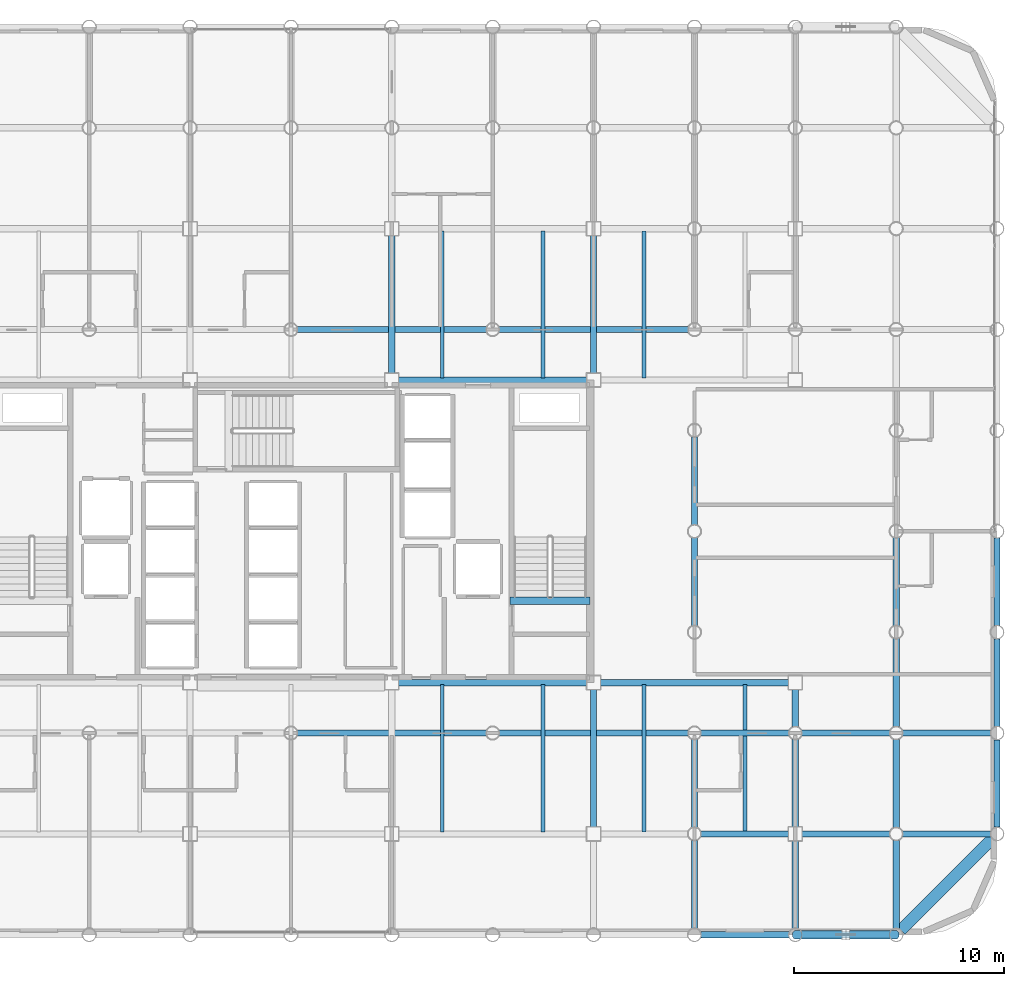
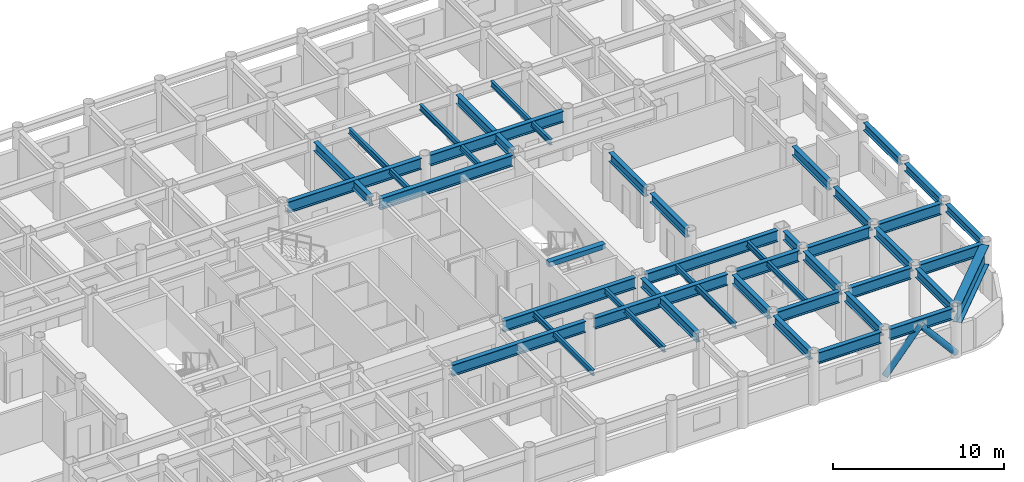
# One storey, part 7 of 22: 41 beams, 2 members.
"""IFC4 building model written with IfcOpenShell, lengths in metres."""

import ifcopenshell
import ifcopenshell.guid

model = None  # the IFC model being written
_history = None  # IfcOwnerHistory: only IFC2X3 demands one
_inside = {}  # id of a spatial element -> (the spatial element, [elements in it])
_under = {}  # id of a project, library or spatial element -> (it, [spatial elements below it])
_declared = {}  # id of a project -> (the project, [libraries it declares])
_typed = {}  # id of a type object -> (the type object, [elements of that type])
_made_of = {}  # id of a material, layer set ... -> (it, [elements and type objects made of it])


def new_model(schema):
    """Start an empty IFC model of exactly this schema.

    Asked for "IFC4X3", IfcOpenShell would pick the latest addendum, in which some entities
    have other attributes; the version numbers below select the first issue.
    IFC2X3 requires an IfcOwnerHistory on every rooted entity: one is made here for all.
    """
    global model, _history
    if schema == "IFC4X3":
        model = ifcopenshell.file(schema_version=(4, 3, 0, 0))
    else:
        model = ifcopenshell.file(schema=schema)
    _inside.clear()
    _under.clear()
    _declared.clear()
    _typed.clear()
    _made_of.clear()
    _history = None
    if model.schema == "IFC2X3":
        org = make("IfcOrganization", Name="unknown")
        user = make(
            "IfcPersonAndOrganization",
            ThePerson=make("IfcPerson", FamilyName="unknown"),
            TheOrganization=org,
        )
        app = make(
            "IfcApplication",
            ApplicationDeveloper=org,
            Version="unknown",
            ApplicationFullName="unknown",
            ApplicationIdentifier="unknown",
        )
        _history = make(
            "IfcOwnerHistory",
            OwningUser=user,
            OwningApplication=app,
            ChangeAction="ADDED",
            CreationDate=0,
        )
    return model


def make(cls, **values):
    """One entity of the class cls with the attributes given. An attribute that is None is left unset."""
    return model.create_entity(
        cls, **{name: value for name, value in values.items() if value is not None}
    )


def rooted(cls, **values):
    """An entity with a GlobalId (a new one), such as an element, a storey or a relation."""
    return make(cls, GlobalId=ifcopenshell.guid.new(), OwnerHistory=_history, **values)


def si_unit(unit_type, name, prefix=None):
    """IfcSIUnit, for example si_unit("LENGTHUNIT", "METRE", prefix="MILLI")."""
    return make("IfcSIUnit", UnitType=unit_type, Prefix=prefix, Name=name)


def assignment(units):
    """IfcUnitAssignment: the units of a project."""
    return None if units is None else make("IfcUnitAssignment", Units=units)


def point(xyz):
    """IfcCartesianPoint."""
    return None if xyz is None else make("IfcCartesianPoint", Coordinates=xyz)


def direction(xyz):
    """IfcDirection."""
    return None if xyz is None else make("IfcDirection", DirectionRatios=xyz)


def frame(location, z_axis=None, x_axis=None):
    """IfcAxis2Placement3D, a coordinate frame: its origin and axes. An axis left out is left unset."""
    return make(
        "IfcAxis2Placement3D",
        Location=point(location),
        Axis=direction(z_axis),
        RefDirection=direction(x_axis),
    )


def frame_2d(location, x_axis=None):
    """IfcAxis2Placement2D, a coordinate frame in the plane: its origin and x axis."""
    return make(
        "IfcAxis2Placement2D", Location=point(location), RefDirection=direction(x_axis)
    )


def origin():
    """The frame at (0, 0, 0) with its axes left unset."""
    return frame((0.0, 0.0, 0.0))


def origin_2d():
    """The frame at (0, 0) in the plane with its x axis left unset."""
    return frame_2d((0.0, 0.0))


def place(relative_to, where):
    """IfcLocalPlacement: puts the frame where relative to a parent placement (None: the world)."""
    return make(
        "IfcLocalPlacement", PlacementRelTo=relative_to, RelativePlacement=where
    )


def context(
    kind, dimensions, precision=None, world=None, true_north=None, identifier=None
):
    """IfcGeometricRepresentationContext, for example the 3D "Model" context."""
    return make(
        "IfcGeometricRepresentationContext",
        ContextIdentifier=identifier,
        ContextType=kind,
        CoordinateSpaceDimension=dimensions,
        Precision=precision,
        WorldCoordinateSystem=world,
        TrueNorth=true_north,
    )


def subcontext(parent, identifier, kind, view, scale=None):
    """IfcGeometricRepresentationSubContext, for example "Body" below "Model"."""
    return make(
        "IfcGeometricRepresentationSubContext",
        ContextIdentifier=identifier,
        ContextType=kind,
        ParentContext=parent,
        TargetScale=scale,
        TargetView=view,
    )


def project(units=None, contexts=None):
    """IfcProject with its units and contexts."""
    return rooted(
        "IfcProject",
        Name="project",
        RepresentationContexts=contexts,
        UnitsInContext=assignment(units),
    )


def spatial(cls, under=None, at=None, **own):
    """A site, building, storey or space (cls), placed at a placement, below another one or the project."""
    s = rooted(cls, ObjectPlacement=at, **own)
    if under is not None:
        _under.setdefault(under.id(), (under, []))[1].append(s)
    return s


def profile(cls, at=None, kind="AREA", **sizes):
    """A parametric profile (cls). Its sizes go by their IFC names, for example OverallWidth=200.0."""
    return make(cls, ProfileType=kind, Position=at, **sizes)


def rectangle(**sizes):
    """IfcRectangleProfileDef."""
    return profile("IfcRectangleProfileDef", **sizes)


def hollow_circle(**sizes):
    """IfcCircleHollowProfileDef."""
    return profile("IfcCircleHollowProfileDef", **sizes)


def i_section(**sizes):
    """IfcIShapeProfileDef."""
    return profile("IfcIShapeProfileDef", **sizes)


def extrude(swept, where, along, depth):
    """IfcExtrudedAreaSolid: the profile swept, set in the frame where, extruded along a direction by depth."""
    return make(
        "IfcExtrudedAreaSolid",
        SweptArea=swept,
        Position=where,
        ExtrudedDirection=direction(along),
        Depth=depth,
    )


def shape(context_of_items, identifier, shape_type, items):
    """IfcShapeRepresentation: the items that make up one representation, for example the "Body"."""
    return make(
        "IfcShapeRepresentation",
        ContextOfItems=context_of_items,
        RepresentationIdentifier=identifier,
        RepresentationType=shape_type,
        Items=items,
    )


def material(Name=None, Category=None):
    """IfcMaterial."""
    return make("IfcMaterial", Name=Name, Category=Category)


def material_profile(
    of_material, cross_section, Name=None, Category=None, Priority=None
):
    """IfcMaterialProfile: a cross section and its material."""
    return make(
        "IfcMaterialProfile",
        Name=Name,
        Material=of_material,
        Profile=cross_section,
        Priority=Priority,
        Category=Category,
    )


def profile_set(profiles, Name=None, composite=None):
    """IfcMaterialProfileSet."""
    return make(
        "IfcMaterialProfileSet",
        Name=Name,
        MaterialProfiles=profiles,
        CompositeProfile=composite,
    )


def made_of(thing, what):
    """Note that an element or type object is made of a material, layer set ...; save() writes the relation."""
    if what is not None:
        _made_of.setdefault(what.id(), (what, []))[1].append(thing)
    return thing


def type_object(cls, material=None, **own):
    """A type object (cls), such as IfcWallType, which elements share."""
    return made_of(rooted(cls, **own), material)


def element(
    cls,
    number,
    at=None,
    inside=None,
    cuts=None,
    type_object=None,
    material=None,
    context=None,
    identifier="Body",
    shape_type=None,
    held_by="IfcProductDefinitionShape",
    body=None,
    shapes=None,
    **own,
):
    """One element of the class cls, such as IfcWall. Its Tag is "e" and its number.

    at: its placement. inside: the storey or other place that contains it. cuts: it is an
    opening in that element (IfcRelVoidsElement). A single representation is given by context,
    identifier, shape_type and body (its items); several are given by shapes. held_by: the class
    of the entity that holds the representations. save() writes the other relations.
    """
    e = rooted(cls, Tag="e%d" % number, ObjectPlacement=at, **own)
    if body is not None:
        shapes = [shape(context, identifier, shape_type, body)]
    if shapes is not None:
        e.Representation = make(held_by, Representations=shapes)
    if inside is not None:
        _inside.setdefault(inside.id(), (inside, []))[1].append(e)
    if cuts is not None:
        rooted(
            "IfcRelVoidsElement", RelatingBuildingElement=cuts, RelatedOpeningElement=e
        )
    if type_object is not None:
        _typed.setdefault(type_object.id(), (type_object, []))[1].append(e)
    return made_of(e, material)


def aggregate(whole, parts):
    """IfcRelAggregates: a whole, such as a stair, and the parts it consists of."""
    return rooted("IfcRelAggregates", RelatingObject=whole, RelatedObjects=parts)


def save(model, path):
    """Write the relations noted so far, then the file.

    IfcRelAggregates (storeys below a building ...), IfcRelContainedInSpatialStructure (elements
    in a storey), IfcRelDefinesByType, IfcRelAssociatesMaterial and IfcRelDeclares: one each for
    every whole, place, type object, material and project.
    """
    for whole, parts in _under.values():
        aggregate(whole, parts)
    for where, things in _inside.values():
        rooted(
            "IfcRelContainedInSpatialStructure",
            RelatedElements=things,
            RelatingStructure=where,
        )
    for kind, things in _typed.values():
        rooted("IfcRelDefinesByType", RelatedObjects=things, RelatingType=kind)
    for what, things in _made_of.values():
        rooted("IfcRelAssociatesMaterial", RelatedObjects=things, RelatingMaterial=what)
    for by, libraries in _declared.values():
        rooted("IfcRelDeclares", RelatingContext=by, RelatedDefinitions=libraries)
    model.write(path)


model = new_model("IFC4")

# Units and contexts
model_context = context("Model", 3, precision=1e-05, world=origin(), true_north=direction((0.0, 1.0)))
body_context = subcontext(model_context, "Body", "Model", "MODEL_VIEW")
ifc_project = project(units=[si_unit("LENGTHUNIT", "METRE"), si_unit("AREAUNIT", "SQUARE_METRE"), si_unit("VOLUMEUNIT", "CUBIC_METRE"), si_unit("PLANEANGLEUNIT", "RADIAN"), si_unit("MASSUNIT", "GRAM", prefix="KILO")], contexts=[model_context])

# Site, building, storey
site_placement = place(None, origin())
site = spatial("IfcSite", under=ifc_project, at=site_placement, CompositionType="ELEMENT")
building_placement = place(site_placement, origin())
building = spatial("IfcBuilding", under=site, at=building_placement, Name="Kallvorn Hotel Tower", CompositionType="ELEMENT")
storey_placement = place(building_placement, frame((0.0, 0.0, 110.0)))
storey = spatial("IfcBuildingStorey", under=building, at=storey_placement, Name="L26", CompositionType="ELEMENT", Elevation=110.0)

# Beams
ifc_material_1 = material(Name="Structural steel S355JR", Category="steel")
ifc_material_profile_1 = material_profile(ifc_material_1, i_section(OverallWidth=0.300048828125, OverallDepth=0.550048828125, WebThickness=0.014892578125, FlangeThickness=0.029052734375, at=origin_2d()), Name="HE 550 B")
ifc_profile_set_1 = profile_set([ifc_material_profile_1], Name="Structural steel S355JR")
beam_type_1 = type_object("IfcBeamType", Name="BM_HE550B", PredefinedType="SPANDREL", material=ifc_profile_set_1)
beam_1_placement = place(storey_placement, frame((33.60009765625, -14.080078125, 3.2451171875), z_axis=(0.0, 1.0, 0.0), x_axis=(-1.0, 0.0, 0.0)))
element("IfcBeam", 1, at=beam_1_placement, inside=storey, type_object=beam_type_1, Name="L27 Perimeter Spandrel 182", PredefinedType="SPANDREL", context=body_context, shape_type="SweptSolid", body=[
    extrude(i_section(OverallWidth=0.300048828125, OverallDepth=0.550048828125, WebThickness=0.014892578125, FlangeThickness=0.029052734375, at=origin_2d()), origin(), (0.0, 0.0, 1.0), 4.16015625),
])
for number, where, z_axis, x_axis, name in (
    (2, (33.60009765625, -9.280029296875, 3.2451171875), (0.0, 1.0, 0.0), (-1.0, 0.0, 0.0), "L27 Perimeter Spandrel 183"),
    (3, (33.60009765625, -4.47998046875, 3.2451171875), (0.0, 1.0, 0.0), (-1.0, 0.0, 0.0), "L27 Perimeter Spandrel 184"),
):
    element("IfcBeam", number, at=place(storey_placement, frame(where, z_axis=z_axis, x_axis=x_axis)), inside=storey, type_object=beam_type_1, Name=name, PredefinedType="SPANDREL", context=body_context, shape_type="SweptSolid", body=[
        extrude(i_section(OverallWidth=0.300048828125, OverallDepth=0.550048828125, WebThickness=0.014892578125, FlangeThickness=0.029052734375, at=origin_2d()), origin(), (0.0, 0.0, 1.0), 4.159912109375),
    ])
ifc_material_2 = material(Name="Structural steel S355JR", Category="steel")
ifc_material_profile_2 = material_profile(ifc_material_2, i_section(OverallWidth=0.300048828125, OverallDepth=0.64990234375, WebThickness=0.01611328125, FlangeThickness=0.031005859375, at=origin_2d()), Name="HE 650 B")
ifc_profile_set_2 = profile_set([ifc_material_profile_2], Name="Structural steel S355JR")
beam_type_2 = type_object("IfcBeamType", Name="BM_HE650B", PredefinedType="BEAM", material=ifc_profile_set_2)
for number, where, z_axis, x_axis, name in (
    (4, (4.800048828125, 7.52490234375, 3.195068359375), (0.0, 1.0, 0.0), (-1.0, 0.0, 0.0), "L27 Primary Y-Girder 115"),
    (5, (14.39990234375, -14.074951171875, 3.195068359375), (0.0, 1.0, 0.0), (-1.0, 0.0, 0.0), "L27 Primary Y-Girder 122"),
    (6, (14.39990234375, 7.52490234375, 3.195068359375), (0.0, 1.0, 0.0), (-1.0, 0.0, 0.0), "L27 Primary Y-Girder 123"),
):
    element("IfcBeam", number, at=place(storey_placement, frame(where, z_axis=z_axis, x_axis=x_axis)), inside=storey, type_object=beam_type_2, Name=name, PredefinedType="BEAM", context=body_context, shape_type="SweptSolid", body=[
        extrude(i_section(OverallWidth=0.300048828125, OverallDepth=0.64990234375, WebThickness=0.01611328125, FlangeThickness=0.031005859375, at=origin_2d()), origin(), (0.0, 0.0, 1.0), 6.550048828125),
    ])
for number, where, z_axis, x_axis, name in (
    (7, (19.199951171875, -18.89501953125, 3.195068359375), (0.0, 1.0, 0.0), (-1.0, 0.0, 0.0), "L27 Primary Y-Girder 126"),
    (8, (19.199951171875, -14.094970703125, 3.195068359375), (0.0, 1.0, 0.0), (-1.0, 0.0, 0.0), "L27 Primary Y-Girder 127"),
):
    element("IfcBeam", number, at=place(storey_placement, frame(where, z_axis=z_axis, x_axis=x_axis)), inside=storey, type_object=beam_type_2, Name=name, PredefinedType="BEAM", context=body_context, shape_type="SweptSolid", body=[
        extrude(i_section(OverallWidth=0.300048828125, OverallDepth=0.64990234375, WebThickness=0.01611328125, FlangeThickness=0.031005859375, at=origin_2d()), origin(), (0.0, 0.0, 1.0), 4.18994140625),
    ])
for number, where, z_axis, x_axis, name in (
    (9, (19.199951171875, -4.4951171875, 3.195068359375), (0.0, 1.0, 0.0), (-1.0, 0.0, 0.0), "L27 Primary Y-Girder 129"),
    (10, (19.199951171875, 0.304931640625, 3.195068359375), (0.0, 1.0, 0.0), (-1.0, 0.0, 0.0), "L27 Primary Y-Girder 130"),
):
    element("IfcBeam", number, at=place(storey_placement, frame(where, z_axis=z_axis, x_axis=x_axis)), inside=storey, type_object=beam_type_2, Name=name, PredefinedType="BEAM", context=body_context, shape_type="SweptSolid", body=[
        extrude(i_section(OverallWidth=0.300048828125, OverallDepth=0.64990234375, WebThickness=0.01611328125, FlangeThickness=0.031005859375, at=origin_2d()), origin(), (0.0, 0.0, 1.0), 4.190185546875),
    ])
for number, where, z_axis, x_axis, name in (
    (11, (24.0, -18.89501953125, 3.195068359375), (0.0, 1.0, 0.0), (-1.0, 0.0, 0.0), "L27 Primary Y-Girder 135"),
    (12, (24.0, -14.074951171875, 3.195068359375), (0.0, 1.0, 0.0), (-1.0, 0.0, 0.0), "L27 Primary Y-Girder 136"),
):
    element("IfcBeam", number, at=place(storey_placement, frame(where, z_axis=z_axis, x_axis=x_axis)), inside=storey, type_object=beam_type_2, Name=name, PredefinedType="BEAM", context=body_context, shape_type="SweptSolid", body=[
        extrude(i_section(OverallWidth=0.300048828125, OverallDepth=0.64990234375, WebThickness=0.01611328125, FlangeThickness=0.031005859375, at=origin_2d()), origin(), (0.0, 0.0, 1.0), 4.169921875),
    ])
beam_2_placement = place(storey_placement, frame((24.0, -9.294921875, 3.195068359375), z_axis=(0.0, 1.0, 0.0), x_axis=(-1.0, 0.0, 0.0)))
element("IfcBeam", 13, at=beam_2_placement, inside=storey, type_object=beam_type_2, Name="L27 Primary Y-Girder 137", PredefinedType="BEAM", context=body_context, shape_type="SweptSolid", body=[
    extrude(i_section(OverallWidth=0.300048828125, OverallDepth=0.64990234375, WebThickness=0.01611328125, FlangeThickness=0.031005859375, at=origin_2d()), origin(), (0.0, 0.0, 1.0), 1.77001953125),
])
for number, where, z_axis, x_axis, name in (
    (14, (28.800048828125, -18.89501953125, 3.195068359375), (0.0, 1.0, 0.0), (-1.0, 0.0, 0.0), "L27 Primary Y-Girder 142"),
    (15, (28.800048828125, -14.094970703125, 3.195068359375), (0.0, 1.0, 0.0), (-1.0, 0.0, 0.0), "L27 Primary Y-Girder 143"),
    (16, (28.800048828125, -9.294921875, 3.195068359375), (0.0, 1.0, 0.0), (-1.0, 0.0, 0.0), "L27 Primary Y-Girder 144"),
):
    element("IfcBeam", number, at=place(storey_placement, frame(where, z_axis=z_axis, x_axis=x_axis)), inside=storey, type_object=beam_type_2, Name=name, PredefinedType="BEAM", context=body_context, shape_type="SweptSolid", body=[
        extrude(i_section(OverallWidth=0.300048828125, OverallDepth=0.64990234375, WebThickness=0.01611328125, FlangeThickness=0.031005859375, at=origin_2d()), origin(), (0.0, 0.0, 1.0), 4.18994140625),
    ])
beam_3_placement = place(storey_placement, frame((28.800048828125, -4.4951171875, 3.195068359375), z_axis=(0.0, 1.0, 0.0), x_axis=(-1.0, 0.0, 0.0)))
element("IfcBeam", 17, at=beam_3_placement, inside=storey, type_object=beam_type_2, Name="L27 Primary Y-Girder 145", PredefinedType="BEAM", context=body_context, shape_type="SweptSolid", body=[
    extrude(i_section(OverallWidth=0.300048828125, OverallDepth=0.64990234375, WebThickness=0.01611328125, FlangeThickness=0.031005859375, at=origin_2d()), origin(), (0.0, 0.0, 1.0), 4.190185546875),
])
ifc_material_3 = material(Name="Structural steel S355JR", Category="steel")
ifc_material_profile_3 = material_profile(ifc_material_3, i_section(OverallWidth=0.300048828125, OverallDepth=0.800048828125, WebThickness=0.017578125, FlangeThickness=0.032958984375, at=origin_2d()), Name="HE 800 B")
ifc_profile_set_3 = profile_set([ifc_material_profile_3], Name="Structural steel S355JR")
beam_type_3 = type_object("IfcBeamType", Name="BM_HE800B", PredefinedType="BEAM", material=ifc_profile_set_3)
for number, where, z_axis, x_axis, name in (
    (18, (19.5048828125, -19.199951171875, 3.1201171875), (1.0, 0.0, 0.0), (0.0, 1.0, 0.0), "L27 Primary X-Girder 11"),
    (19, (24.304931640625, -19.199951171875, 3.1201171875), (1.0, 0.0, 0.0), (0.0, 1.0, 0.0), "L27 Primary X-Girder 12"),
):
    element("IfcBeam", number, at=place(storey_placement, frame(where, z_axis=z_axis, x_axis=x_axis)), inside=storey, type_object=beam_type_3, Name=name, PredefinedType="BEAM", context=body_context, shape_type="SweptSolid", body=[
        extrude(i_section(OverallWidth=0.300048828125, OverallDepth=0.800048828125, WebThickness=0.017578125, FlangeThickness=0.032958984375, at=origin_2d()), origin(), (0.0, 0.0, 1.0), 4.190185546875),
    ])
for number, where, z_axis, x_axis, name in (
    (20, (19.5048828125, -14.39990234375, 3.1201171875), (1.0, 0.0, 0.0), (0.0, 1.0, 0.0), "L27 Primary X-Girder 20"),
    (21, (24.324951171875, -14.39990234375, 3.1201171875), (1.0, 0.0, 0.0), (0.0, 1.0, 0.0), "L27 Primary X-Girder 21"),
):
    element("IfcBeam", number, at=place(storey_placement, frame(where, z_axis=z_axis, x_axis=x_axis)), inside=storey, type_object=beam_type_3, Name=name, PredefinedType="BEAM", context=body_context, shape_type="SweptSolid", body=[
        extrude(i_section(OverallWidth=0.300048828125, OverallDepth=0.800048828125, WebThickness=0.017578125, FlangeThickness=0.032958984375, at=origin_2d()), origin(), (0.0, 0.0, 1.0), 4.170166015625),
    ])
beam_4_placement = place(storey_placement, frame((29.10498046875, -14.39990234375, 3.1201171875), z_axis=(1.0, 0.0, 0.0), x_axis=(0.0, 1.0, 0.0)))
element("IfcBeam", 22, at=beam_4_placement, inside=storey, type_object=beam_type_3, Name="L27 Primary X-Girder 22", PredefinedType="BEAM", context=body_context, shape_type="SweptSolid", body=[
    extrude(i_section(OverallWidth=0.300048828125, OverallDepth=0.800048828125, WebThickness=0.017578125, FlangeThickness=0.032958984375, at=origin_2d()), origin(), (0.0, 0.0, 1.0), 4.18994140625),
])
for number, where, z_axis, x_axis, name in (
    (23, (0.304931640625, -9.60009765625, 3.1201171875), (1.0, 0.0, 0.0), (0.0, 1.0, 0.0), "L27 Primary X-Girder 27"),
    (24, (9.905029296875, -9.60009765625, 3.1201171875), (1.0, 0.0, 0.0), (0.0, 1.0, 0.0), "L27 Primary X-Girder 28"),
):
    element("IfcBeam", number, at=place(storey_placement, frame(where, z_axis=z_axis, x_axis=x_axis)), inside=storey, type_object=beam_type_3, Name=name, PredefinedType="BEAM", context=body_context, shape_type="SweptSolid", body=[
        extrude(i_section(OverallWidth=0.300048828125, OverallDepth=0.800048828125, WebThickness=0.017578125, FlangeThickness=0.032958984375, at=origin_2d()), origin(), (0.0, 0.0, 1.0), 8.989990234375),
    ])
for number, where, z_axis, x_axis, name in (
    (25, (19.5048828125, -9.60009765625, 3.1201171875), (1.0, 0.0, 0.0), (0.0, 1.0, 0.0), "L27 Primary X-Girder 29"),
    (26, (24.304931640625, -9.60009765625, 3.1201171875), (1.0, 0.0, 0.0), (0.0, 1.0, 0.0), "L27 Primary X-Girder 30"),
):
    element("IfcBeam", number, at=place(storey_placement, frame(where, z_axis=z_axis, x_axis=x_axis)), inside=storey, type_object=beam_type_3, Name=name, PredefinedType="BEAM", context=body_context, shape_type="SweptSolid", body=[
        extrude(i_section(OverallWidth=0.300048828125, OverallDepth=0.800048828125, WebThickness=0.017578125, FlangeThickness=0.032958984375, at=origin_2d()), origin(), (0.0, 0.0, 1.0), 4.190185546875),
    ])
beam_5_placement = place(storey_placement, frame((29.10498046875, -9.60009765625, 3.1201171875), z_axis=(1.0, 0.0, 0.0), x_axis=(0.0, 1.0, 0.0)))
element("IfcBeam", 27, at=beam_5_placement, inside=storey, type_object=beam_type_3, Name="L27 Primary X-Girder 31", PredefinedType="BEAM", context=body_context, shape_type="SweptSolid", body=[
    extrude(i_section(OverallWidth=0.300048828125, OverallDepth=0.800048828125, WebThickness=0.017578125, FlangeThickness=0.032958984375, at=origin_2d()), origin(), (0.0, 0.0, 1.0), 4.18994140625),
])
for number, where, z_axis, x_axis, name in (
    (28, (5.125, -7.199951171875, 3.1201171875), (1.0, 0.0, 0.0), (0.0, 1.0, 0.0), "L27 Primary X-Girder 34"),
    (29, (14.72509765625, -7.199951171875, 3.1201171875), (1.0, 0.0, 0.0), (0.0, 1.0, 0.0), "L27 Primary X-Girder 35"),
    (30, (5.125, 7.199951171875, 3.1201171875), (1.0, 0.0, 0.0), (0.0, 1.0, 0.0), "L27 Primary X-Girder 39"),
):
    element("IfcBeam", number, at=place(storey_placement, frame(where, z_axis=z_axis, x_axis=x_axis)), inside=storey, type_object=beam_type_3, Name=name, PredefinedType="BEAM", context=body_context, shape_type="SweptSolid", body=[
        extrude(i_section(OverallWidth=0.300048828125, OverallDepth=0.800048828125, WebThickness=0.017578125, FlangeThickness=0.032958984375, at=origin_2d()), origin(), (0.0, 0.0, 1.0), 8.949951171875),
    ])
for number, where, z_axis, x_axis, name in (
    (31, (0.304931640625, 9.60009765625, 3.1201171875), (1.0, 0.0, 0.0), (0.0, 1.0, 0.0), "L27 Primary X-Girder 45"),
    (32, (9.905029296875, 9.60009765625, 3.1201171875), (1.0, 0.0, 0.0), (0.0, 1.0, 0.0), "L27 Primary X-Girder 46"),
):
    element("IfcBeam", number, at=place(storey_placement, frame(where, z_axis=z_axis, x_axis=x_axis)), inside=storey, type_object=beam_type_3, Name=name, PredefinedType="BEAM", context=body_context, shape_type="SweptSolid", body=[
        extrude(i_section(OverallWidth=0.300048828125, OverallDepth=0.800048828125, WebThickness=0.017578125, FlangeThickness=0.032958984375, at=origin_2d()), origin(), (0.0, 0.0, 1.0), 8.989990234375),
    ])
ifc_material_4 = material(Name="Structural steel S355JR", Category="steel")
ifc_material_profile_4 = material_profile(ifc_material_4, i_section(OverallWidth=0.179931640625, OverallDepth=0.39990234375, WebThickness=0.008544921875, FlangeThickness=0.013427734375, at=origin_2d()), Name="IPE 400")
ifc_profile_set_4 = profile_set([ifc_material_profile_4], Name="Structural steel S355JR")
beam_type_4 = type_object("IfcBeamType", Name="BM_IPE400", PredefinedType="JOIST", material=ifc_profile_set_4)
for number, where, z_axis, x_axis, name in (
    (33, (7.199951171875, -14.300048828125, 3.320068359375), (0.0, 1.0, 0.0), (-1.0, 0.0, 0.0), "L27 Secondary Composite Joist 202"),
    (34, (7.199951171875, 7.300048828125, 3.320068359375), (0.0, 1.0, 0.0), (-1.0, 0.0, 0.0), "L27 Secondary Composite Joist 203"),
    (35, (12.0, -14.300048828125, 3.320068359375), (0.0, 1.0, 0.0), (-1.0, 0.0, 0.0), "L27 Secondary Composite Joist 204"),
    (36, (12.0, 7.300048828125, 3.320068359375), (0.0, 1.0, 0.0), (-1.0, 0.0, 0.0), "L27 Secondary Composite Joist 205"),
    (37, (16.800048828125, -14.300048828125, 3.320068359375), (0.0, 1.0, 0.0), (-1.0, 0.0, 0.0), "L27 Secondary Composite Joist 206"),
    (38, (16.800048828125, 7.300048828125, 3.320068359375), (0.0, 1.0, 0.0), (-1.0, 0.0, 0.0), "L27 Secondary Composite Joist 207"),
    (39, (21.60009765625, -14.300048828125, 3.320068359375), (0.0, 1.0, 0.0), (-1.0, 0.0, 0.0), "L27 Secondary Composite Joist 208"),
):
    element("IfcBeam", number, at=place(storey_placement, frame(where, z_axis=z_axis, x_axis=x_axis)), inside=storey, type_object=beam_type_4, Name=name, PredefinedType="JOIST", context=body_context, shape_type="SweptSolid", body=[
        extrude(i_section(OverallWidth=0.179931640625, OverallDepth=0.39990234375, WebThickness=0.008544921875, FlangeThickness=0.013427734375, at=origin_2d()), origin(), (0.0, 0.0, 1.0), 7.0),
    ])
ifc_material_5 = material(Name="Structural steel S355JR", Category="steel")
ifc_material_profile_5 = material_profile(ifc_material_5, i_section(OverallWidth=0.550048828125, OverallDepth=1.39990234375, WebThickness=0.02490234375, FlangeThickness=0.044921875, at=origin_2d()), Name="PG 1400x550x25x45")
ifc_profile_set_5 = profile_set([ifc_material_profile_5], Name="Structural steel S355JR")
beam_type_5 = type_object("IfcBeamType", Name="BM_PG_1400", PredefinedType="BEAM", material=ifc_profile_set_5)
beam_6_placement = place(storey_placement, frame((33.373779296875, -14.626220703125, 2.820068359375), z_axis=(-0.707106781187, -0.707106781187, 0.0), x_axis=(0.707106781187, -0.707106781187, 0.0)))
element("IfcBeam", 40, at=beam_6_placement, inside=storey, type_object=beam_type_5, Name="L27 Rounded Corner Tie Beam 190", PredefinedType="BEAM", context=body_context, shape_type="SweptSolid", body=[
    extrude(i_section(OverallWidth=0.550048828125, OverallDepth=1.39990234375, WebThickness=0.02490234375, FlangeThickness=0.044921875, at=origin_2d()), origin(), (0.0, 0.0, 1.0), 6.148193359375),
])
ifc_material_6 = material(Name="Concrete C50/60", Category="concrete")
ifc_material_profile_6 = material_profile(ifc_material_6, rectangle(XDim=0.360107421875, YDim=0.340087890625, at=origin_2d()), Name="RC 360x340")
ifc_profile_set_6 = profile_set([ifc_material_profile_6], Name="Concrete C50/60")
beam_type_6 = type_object("IfcBeamType", Name="BM_RC_400x360", PredefinedType="BEAM", material=ifc_profile_set_6)
beam_7_placement = place(storey_placement, frame((14.239990234375, -3.31005859375, 3.35009765625), z_axis=(-1.0, 0.0, 0.0), x_axis=(0.0, -1.0, 0.0)))
element("IfcBeam", 41, at=beam_7_placement, inside=storey, type_object=beam_type_6, Name="L27 Stair ST2 Arrival Trimmer Beam", PredefinedType="BEAM", context=body_context, shape_type="SweptSolid", body=[
    extrude(rectangle(XDim=0.360107421875, YDim=0.340087890625, at=origin_2d()), origin(), (0.0, 0.0, 1.0), 3.820068359375),
])

# Members
ifc_material_7 = material(Name="Structural steel S355J2H", Category="steel")
ifc_material_profile_7 = material_profile(ifc_material_7, hollow_circle(Radius=0.203125, WallThickness=0.01611328125, at=origin_2d()), Name="CHS 406.4x16")
ifc_profile_set_7 = profile_set([ifc_material_profile_7], Name="Structural steel S355J2H")
member_type = type_object("IfcMemberType", Name="MBR_EXO_CHS406", PredefinedType="BRACE", material=ifc_profile_set_7)
for number, where, z_axis, x_axis, name in (
    (42, (24.012939453125, -19.199951171875, 0.1953125), (0.646833296797, 0.0, 0.762631422218), (0.0, 1.0, 0.0), "L26 Exoskeleton K-Brace S2A"),
    (43, (28.787109375, -19.199951171875, 0.1953125), (-0.646833296797, 0.0, 0.762631422218), (0.0, -1.0, 0.0), "L26 Exoskeleton K-Brace S2B"),
):
    element("IfcMember", number, at=place(storey_placement, frame(where, z_axis=z_axis, x_axis=x_axis)), inside=storey, type_object=member_type, Name=name, PredefinedType="BRACE", context=body_context, shape_type="SweptSolid", body=[
        extrude(hollow_circle(Radius=0.203125, WallThickness=0.01611328125, at=origin_2d()), origin(), (0.0, 0.0, 1.0), 3.670654296875),
    ])

save(model, "model.ifc")
